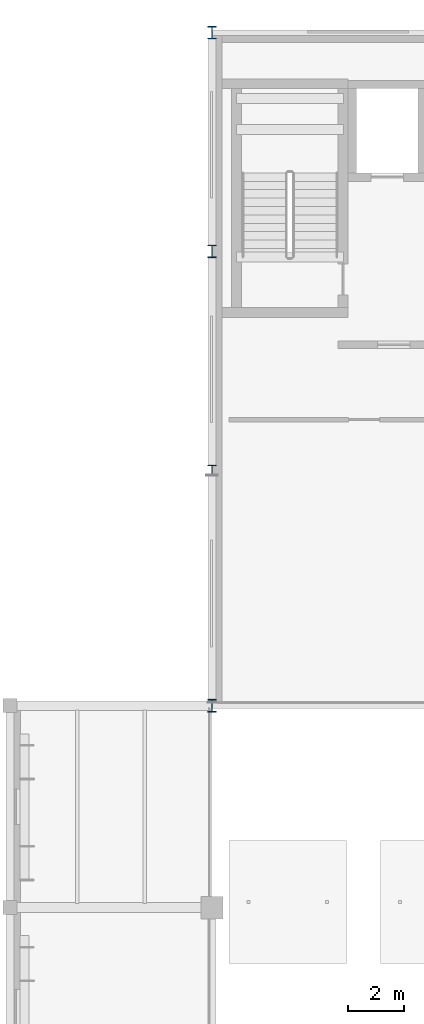
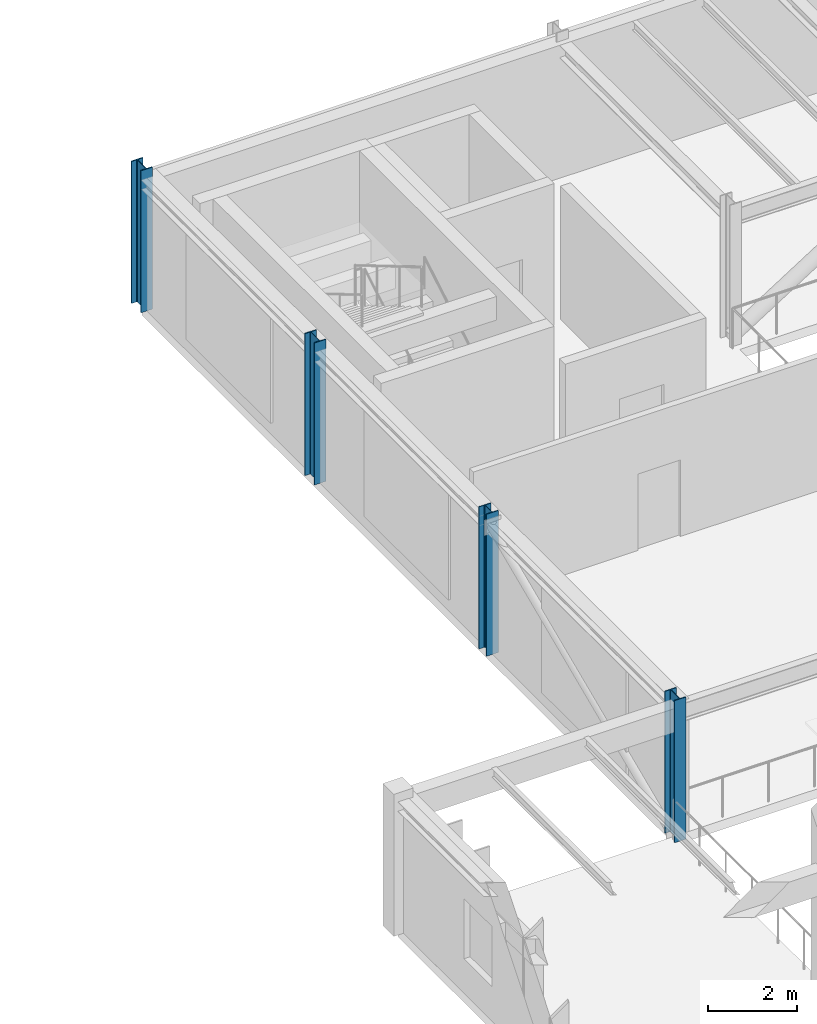
# One storey, part 2 of 44: 4 columns.
"""IFC4 building model written with IfcOpenShell, lengths in metres."""

from ifc_helpers import new_model, si_unit, direction, frame, origin, origin_2d, place, context, subcontext, project, spatial, i_section, extrude, material, material_profile, profile_set, type_object, element, save


model = new_model("IFC4")

# Units and contexts
model_context = context("Model", 3, precision=1e-05, world=origin(), true_north=direction((0.0, 1.0)))
body_context = subcontext(model_context, "Body", "Model", "MODEL_VIEW")
ifc_project = project(units=[si_unit("LENGTHUNIT", "METRE"), si_unit("AREAUNIT", "SQUARE_METRE"), si_unit("VOLUMEUNIT", "CUBIC_METRE"), si_unit("PLANEANGLEUNIT", "RADIAN"), si_unit("MASSUNIT", "GRAM", prefix="KILO")], contexts=[model_context])

# Site, building, storey
site_placement = place(None, origin())
site = spatial("IfcSite", under=ifc_project, at=site_placement, CompositionType="ELEMENT")
building_placement = place(site_placement, origin())
building = spatial("IfcBuilding", under=site, at=building_placement, Name="Tazoul Stagehouse", CompositionType="ELEMENT")
storey_placement = place(building_placement, frame((0.0, 0.0, 13.199951171875)))
storey = spatial("IfcBuildingStorey", under=building, at=storey_placement, Name="L03", CompositionType="ELEMENT", Elevation=13.199951171875)

# Columns
ifc_material = material(Name="Steel S355", Category="steel")
ifc_material_profile_1 = material_profile(ifc_material, i_section(OverallWidth=0.300048828125, OverallDepth=0.360107421875, WebThickness=0.012451171875, FlangeThickness=0.0224609375, FilletRadius=0.027099609375, at=origin_2d()), Name="HEB 360")
ifc_profile_set_1 = profile_set([ifc_material_profile_1], Name="Steel S355")
column_type_1 = type_object("IfcColumnType", Name="Steel Column HEB 360 (Exterior)", PredefinedType="COLUMN", material=ifc_profile_set_1)
column_placement = place(storey_placement, frame((57.60009765625, 96.199951171875, 0.0), z_axis=(0.0, 0.0, 1.0), x_axis=(1.0, 0.0, 0.0)))
element("IfcColumn", 1, at=column_placement, inside=storey, type_object=column_type_1, Name="L03 Column SC-03E at 8/P", PredefinedType="COLUMN", context=body_context, shape_type="SweptSolid", body=[
    extrude(i_section(OverallWidth=0.300048828125, OverallDepth=0.360107421875, WebThickness=0.012451171875, FlangeThickness=0.0224609375, FilletRadius=0.027099609375, at=origin_2d()), origin(), (0.0, 0.0, 1.0), 3.900146484375),
])
ifc_material_profile_2 = material_profile(ifc_material, i_section(OverallWidth=0.300048828125, OverallDepth=0.449951171875, WebThickness=0.013916015625, FlangeThickness=0.02587890625, FilletRadius=0.027099609375, at=origin_2d()), Name="HEB 450")
ifc_profile_set_2 = profile_set([ifc_material_profile_2], Name="Steel S355")
column_type_2 = type_object("IfcColumnType", Name="Steel Column HEB 450 (Exterior)", PredefinedType="COLUMN", material=ifc_profile_set_2)
for number, where, z_axis, x_axis, name in (
    (2, (57.60009765625, 87.800048828125, 0.0), (0.0, 0.0, 1.0), (1.0, 0.0, 0.0), "L03 Column SC-05E at 8/N"),
    (3, (57.60009765625, 104.0, 0.0), (0.0, 0.0, 1.0), (1.0, 0.0, 0.0), "L03 Column SC-05E at 8/Q"),
    (4, (57.60009765625, 111.800048828125, 0.0), (0.0, 0.0, 1.0), (1.0, 0.0, 0.0), "L03 Column SC-05E at 8/R"),
):
    element("IfcColumn", number, at=place(storey_placement, frame(where, z_axis=z_axis, x_axis=x_axis)), inside=storey, type_object=column_type_2, Name=name, PredefinedType="COLUMN", context=body_context, shape_type="SweptSolid", body=[
        extrude(i_section(OverallWidth=0.300048828125, OverallDepth=0.449951171875, WebThickness=0.013916015625, FlangeThickness=0.02587890625, FilletRadius=0.027099609375, at=origin_2d()), origin(), (0.0, 0.0, 1.0), 3.900146484375),
    ])

save(model, "model.ifc")
